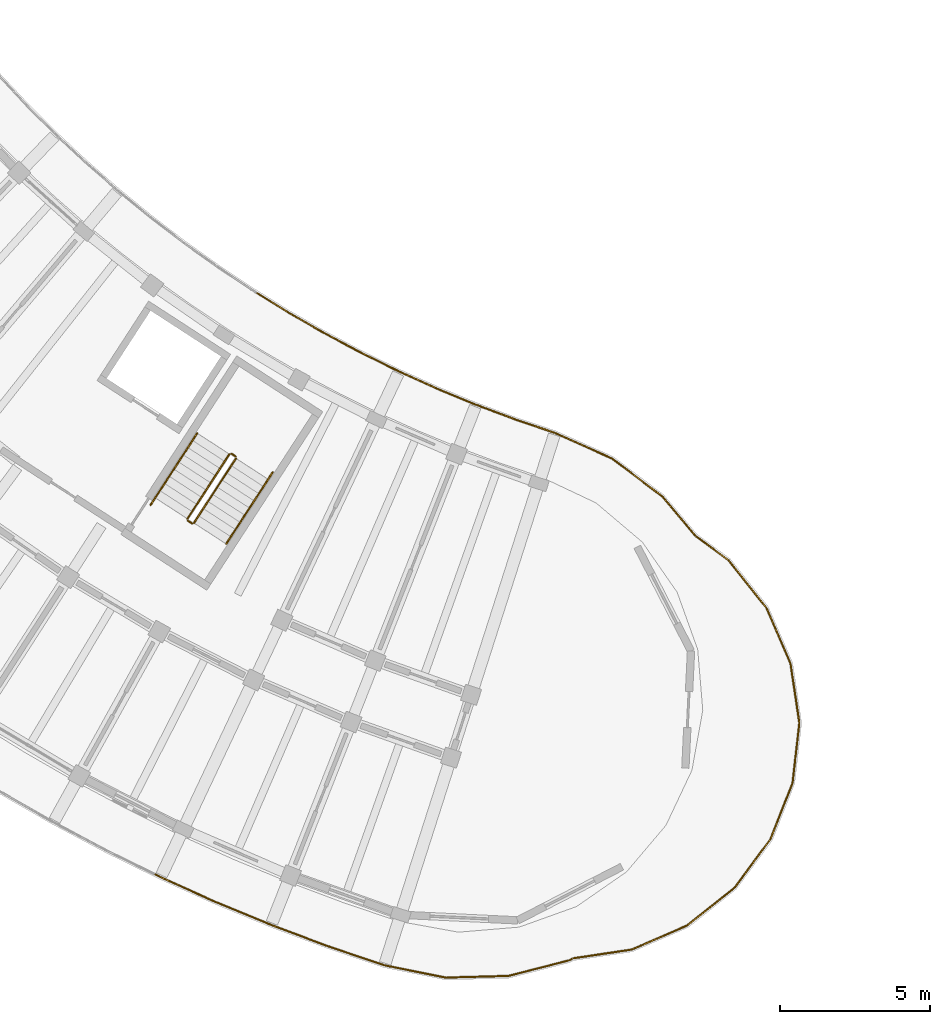
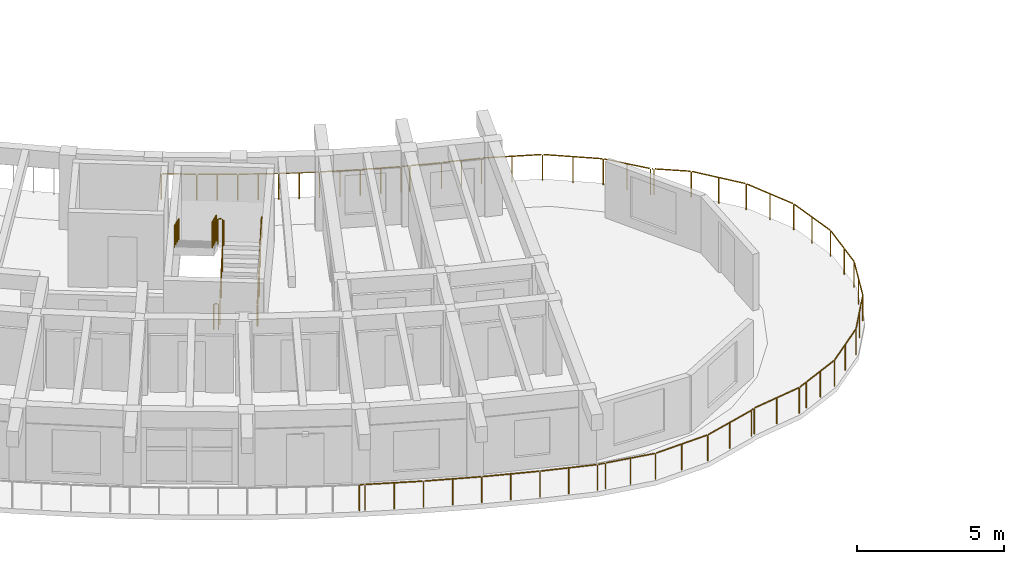
# One storey, part 63 of 78: 16 railings.
"""IFC4 building model written with IfcOpenShell, lengths in metres."""

from ifc_helpers import new_model, si_unit, direction, frame, origin, origin_2d, place, context, subcontext, project, spatial, circle, extrude, material, type_object, element, save


model = new_model("IFC4")

# Units and contexts
model_context = context("Model", 3, precision=1e-05, world=origin(), true_north=direction((0.0, 1.0)))
body_context = subcontext(model_context, "Body", "Model", "MODEL_VIEW")
ifc_project = project(units=[si_unit("LENGTHUNIT", "METRE"), si_unit("AREAUNIT", "SQUARE_METRE"), si_unit("VOLUMEUNIT", "CUBIC_METRE"), si_unit("PLANEANGLEUNIT", "RADIAN"), si_unit("MASSUNIT", "GRAM", prefix="KILO")], contexts=[model_context])

# Site, building, storey
site_placement = place(None, origin())
site = spatial("IfcSite", under=ifc_project, at=site_placement, CompositionType="ELEMENT")
building_placement = place(site_placement, origin())
building = spatial("IfcBuilding", under=site, at=building_placement, Name="Tanwirah Colonnade Gardens", CompositionType="ELEMENT")
storey_placement = place(building_placement, frame((0.0, 0.0, 22.280029296875)))
storey = spatial("IfcBuildingStorey", under=building, at=storey_placement, Name="L06", CompositionType="ELEMENT", Elevation=22.280029296875)

# Railings
ifc_material_1 = material(Name="Precast concrete C40/50", Category="concrete")
railing_type_1 = type_object("IfcRailingType", Name="BAL-EXT110", PredefinedType="BALUSTRADE", material=ifc_material_1)
railing_1_placement = place(storey_placement, frame((42.06494140625, 28.509033203125, 0.0)))
element("IfcRailing", 1, at=railing_1_placement, inside=storey, type_object=railing_type_1, Name="Block C L06 Balcony Ribbon Balustrade 5", PredefinedType="BALUSTRADE", context=body_context, shape_type="SweptSolid", body=[
    extrude(circle(Radius=0.02392578125, at=origin_2d()), frame((0.026611328125, -0.016357421875, 1.076171875), z_axis=(0.849789228516, -0.527122630038, 0.0), x_axis=(0.527122630038, 0.849789228516, 0.0)), (0.0, 0.0, 1.0), 1.15185546875),
    extrude(circle(Radius=0.02392578125, at=origin_2d()), frame((1.061279296875, -0.656982421875, 1.076171875), z_axis=(0.866535241782, -0.499115893104, 0.0), x_axis=(0.499115893104, 0.866535241782, 0.0)), (0.0, 0.0, 1.0), 1.33154296875),
    extrude(circle(Radius=0.02392578125, at=origin_2d()), frame((2.272216796875, -1.35302734375, 1.076171875), z_axis=(0.88242081136, -0.470460956593, 0.0), x_axis=(0.470460956593, 0.88242081136, 0.0)), (0.0, 0.0, 1.0), 1.331298828125),
    extrude(circle(Radius=0.02392578125, at=origin_2d()), frame((3.505126953125, -2.00927734375, 1.076171875), z_axis=(0.897349966121, -0.441319655469, 0.0), x_axis=(0.441319655469, 0.897349966121, 0.0)), (0.0, 0.0, 1.0), 1.33154296875),
    extrude(circle(Radius=0.02392578125, at=origin_2d()), frame((4.7587890625, -2.624755859375, 1.076171875), z_axis=(0.911383314029, -0.411558568018, 0.0), x_axis=(0.411558568018, 0.911383314029, 0.0)), (0.0, 0.0, 1.0), 1.33154296875),
    extrude(circle(Radius=0.02392578125, at=origin_2d()), frame((6.031982421875, -3.19873046875, 1.076171875), z_axis=(0.924300384608, -0.381665821122, 0.0), x_axis=(0.381665821122, 0.924300384608, 0.0)), (0.0, 0.0, 1.0), 1.331298828125),
    extrude(circle(Radius=0.02392578125, at=origin_2d()), frame((7.3232421875, -3.730712890625, 1.076171875), z_axis=(0.936396085832, -0.350944967821, 0.0), x_axis=(0.350944967821, 0.936396085832, 0.0)), (0.0, 0.0, 1.0), 0.2373046875),
    extrude(circle(Radius=0.02099609375, at=origin_2d()), origin(), (0.0, 0.0, 1.0), 1.049072265625),
    extrude(circle(Radius=0.02099609375, at=origin_2d()), frame((1.031982421875, -0.64013671875, 0.0)), (0.0, 0.0, 1.0), 1.049072265625),
    extrude(circle(Radius=0.02099609375, at=origin_2d()), frame((1.63818359375, -0.9892578125, 0.0)), (0.0, 0.0, 1.0), 1.049072265625),
    extrude(circle(Radius=0.02099609375, at=origin_2d()), frame((2.2421875, -1.337158203125, 0.0)), (0.0, 0.0, 1.0), 1.049072265625),
    extrude(circle(Radius=0.02099609375, at=origin_2d()), frame((2.859619140625, -1.666259765625, 0.0)), (0.0, 0.0, 1.0), 1.049072265625),
    extrude(circle(Radius=0.02099609375, at=origin_2d()), frame((3.474609375, -1.994140625, 0.0)), (0.0, 0.0, 1.0), 1.049072265625),
    extrude(circle(Radius=0.02099609375, at=origin_2d()), frame((4.1025390625, -2.302978515625, 0.0)), (0.0, 0.0, 1.0), 1.049072265625),
    extrude(circle(Radius=0.02099609375, at=origin_2d()), frame((4.72802734375, -2.610595703125, 0.0)), (0.0, 0.0, 1.0), 1.049072265625),
    extrude(circle(Radius=0.02099609375, at=origin_2d()), frame((5.365478515625, -2.898681640625, 0.0)), (0.0, 0.0, 1.0), 1.049072265625),
    extrude(circle(Radius=0.02099609375, at=origin_2d()), frame((6.000732421875, -3.185546875, 0.0)), (0.0, 0.0, 1.0), 1.049072265625),
    extrude(circle(Radius=0.02099609375, at=origin_2d()), frame((6.6474609375, -3.45263671875, 0.0)), (0.0, 0.0, 1.0), 1.049072265625),
    extrude(circle(Radius=0.02099609375, at=origin_2d()), frame((7.29150390625, -3.71875, 0.0)), (0.0, 0.0, 1.0), 1.049072265625),
    extrude(circle(Radius=0.02099609375, at=origin_2d()), frame((7.57470703125, -3.824951171875, 0.0)), (0.0, 0.0, 1.0), 1.049072265625),
])
railing_2_placement = place(storey_placement, frame((49.6396484375, 24.68408203125, 0.0)))
element("IfcRailing", 2, at=railing_2_placement, inside=storey, type_object=railing_type_1, Name="Block C L06 Balcony Ribbon Balustrade 6", PredefinedType="BALUSTRADE", context=body_context, shape_type="SweptSolid", body=[
    extrude(circle(Radius=0.02392578125, at=origin_2d()), frame((0.029296875, -0.010986328125, 1.076171875), z_axis=(0.936292492027, -0.351221254159, 0.0), x_axis=(0.351221254159, 0.936292492027, 0.0)), (0.0, 0.0, 1.0), 1.031494140625),
    extrude(circle(Radius=0.02392578125, at=origin_2d()), frame((1.056396484375, -0.395263671875, 1.076171875), z_axis=(0.947251242872, -0.320491938866, 0.0), x_axis=(0.320491938866, 0.947251242872, 0.0)), (0.0, 0.0, 1.0), 1.32763671875),
    extrude(circle(Radius=0.02392578125, at=origin_2d()), frame((2.372314453125, -0.843505859375, 1.076171875), z_axis=(0.912318470045, -0.409481390559, 0.0), x_axis=(0.409481390559, 0.912318470045, 0.0)), (0.0, 0.0, 1.0), 2.029541015625),
    extrude(circle(Radius=0.02392578125, at=origin_2d()), frame((4.27734375, -1.706298828125, 1.076171875), z_axis=(0.798213561009, -0.602374560404, 0.0), x_axis=(0.602374560404, 0.798213561009, 0.0)), (0.0, 0.0, 1.0), 2.0244140625),
    extrude(circle(Radius=0.02392578125, at=origin_2d()), frame((5.938232421875, -2.968505859375, 1.076171875), z_axis=(0.644227931343, -0.764833558676, 0.0), x_axis=(0.764833558676, 0.644227931343, 0.0)), (0.0, 0.0, 1.0), 1.64990234375),
    extrude(circle(Radius=0.02392578125, at=origin_2d()), frame((7.060302734375, -4.28564453125, 1.076171875), z_axis=(0.803978362095, -0.594658551845, 0.0), x_axis=(0.594658551845, 0.803978362095, 0.0)), (0.0, 0.0, 1.0), 0.0400390625),
    extrude(circle(Radius=0.02099609375, at=origin_2d()), origin(), (0.0, 0.0, 1.0), 1.049072265625),
    extrude(circle(Radius=0.02099609375, at=origin_2d()), frame((1.0244140625, -0.38427734375, 0.0)), (0.0, 0.0, 1.0), 1.049072265625),
    extrude(circle(Radius=0.02099609375, at=origin_2d()), frame((1.685302734375, -0.60791015625, 0.0)), (0.0, 0.0, 1.0), 1.049072265625),
    extrude(circle(Radius=0.02099609375, at=origin_2d()), frame((2.34375, -0.830810546875, 0.0)), (0.0, 0.0, 1.0), 1.049072265625),
    extrude(circle(Radius=0.02099609375, at=origin_2d()), frame((3.298095703125, -1.25927734375, 0.0)), (0.0, 0.0, 1.0), 1.049072265625),
    extrude(circle(Radius=0.02099609375, at=origin_2d()), frame((4.25244140625, -1.6875, 0.0)), (0.0, 0.0, 1.0), 1.049072265625),
    extrude(circle(Radius=0.02099609375, at=origin_2d()), frame((5.08544921875, -2.31591796875, 0.0)), (0.0, 0.0, 1.0), 1.049072265625),
    extrude(circle(Radius=0.02099609375, at=origin_2d()), frame((5.918212890625, -2.944580078125, 0.0)), (0.0, 0.0, 1.0), 1.049072265625),
    extrude(circle(Radius=0.02099609375, at=origin_2d()), frame((6.4697265625, -3.599609375, 0.0)), (0.0, 0.0, 1.0), 1.049072265625),
    extrude(circle(Radius=0.02099609375, at=origin_2d()), frame((7.021484375, -4.25439453125, 0.0)), (0.0, 0.0, 1.0), 1.049072265625),
    extrude(circle(Radius=0.02099609375, at=origin_2d()), frame((7.11767578125, -4.328125, 0.0)), (0.0, 0.0, 1.0), 1.049072265625),
])
railing_3_placement = place(storey_placement, frame((56.75732421875, 20.35595703125, 0.0)))
element("IfcRailing", 3, at=railing_3_placement, inside=storey, type_object=railing_type_1, Name="Block C L06 Balcony Ribbon Balustrade 7", PredefinedType="BALUSTRADE", context=body_context, shape_type="SweptSolid", body=[
    extrude(circle(Radius=0.02392578125, at=origin_2d()), frame((0.025146484375, -0.0185546875, 1.076171875), z_axis=(0.803797951076, -0.594902390184, 0.0), x_axis=(0.594902390184, 0.803797951076, 0.0)), (0.0, 0.0, 1.0), 1.212646484375),
    extrude(circle(Radius=0.02392578125, at=origin_2d()), frame((1.04443359375, -0.782958984375, 1.076171875), z_axis=(0.622550545589, -0.782579592237, 0.0), x_axis=(0.782579592237, 0.622550545589, 0.0)), (0.0, 0.0, 1.0), 1.952880859375),
    extrude(circle(Radius=0.02392578125, at=origin_2d()), frame((2.2919921875, -2.3642578125, 1.076171875), z_axis=(0.398739402436, -0.917064277434, 0.0), x_axis=(0.917064277434, 0.398739402436, 0.0)), (0.0, 0.0, 1.0), 1.952392578125),
    extrude(circle(Radius=0.02392578125, at=origin_2d()), frame((3.087646484375, -4.214599609375, 1.076171875), z_axis=(0.147813141388, -0.989015305864, 0.0), x_axis=(0.989015305864, 0.147813141388, 0.0)), (0.0, 0.0, 1.0), 1.95263671875),
    extrude(circle(Radius=0.02392578125, at=origin_2d()), frame((3.37744140625, -6.20751953125, 1.076171875), z_axis=(-0.113202221803, -0.993571968696, 0.0), x_axis=(0.993571968696, -0.113202221803, 0.0)), (0.0, 0.0, 1.0), 1.1171875),
    extrude(circle(Radius=0.02099609375, at=origin_2d()), origin(), (0.0, 0.0, 1.0), 1.049072265625),
    extrude(circle(Radius=0.02099609375, at=origin_2d()), frame((1.02490234375, -0.758544921875, 0.0)), (0.0, 0.0, 1.0), 1.049072265625),
    extrude(circle(Radius=0.02099609375, at=origin_2d()), frame((1.65234375, -1.547119140625, 0.0)), (0.0, 0.0, 1.0), 1.049072265625),
    extrude(circle(Radius=0.02099609375, at=origin_2d()), frame((2.279541015625, -2.335693359375, 0.0)), (0.0, 0.0, 1.0), 1.049072265625),
    extrude(circle(Radius=0.02099609375, at=origin_2d()), frame((2.68115234375, -3.259765625, 0.0)), (0.0, 0.0, 1.0), 1.049072265625),
    extrude(circle(Radius=0.02099609375, at=origin_2d()), frame((3.0830078125, -4.18359375, 0.0)), (0.0, 0.0, 1.0), 1.049072265625),
    extrude(circle(Radius=0.02099609375, at=origin_2d()), frame((3.23193359375, -5.18017578125, 0.0)), (0.0, 0.0, 1.0), 1.049072265625),
    extrude(circle(Radius=0.02099609375, at=origin_2d()), frame((3.380859375, -6.176513671875, 0.0)), (0.0, 0.0, 1.0), 1.049072265625),
    extrude(circle(Radius=0.02099609375, at=origin_2d()), frame((3.247314453125, -7.3486328125, 0.0)), (0.0, 0.0, 1.0), 1.049072265625),
])
railing_4_placement = place(storey_placement, frame((60.004638671875, 13.00732421875, 0.0)))
element("IfcRailing", 4, at=railing_4_placement, inside=storey, type_object=railing_type_1, Name="Block C L06 Balcony Ribbon Balustrade 8", PredefinedType="BALUSTRADE", context=body_context, shape_type="SweptSolid", body=[
    extrude(circle(Radius=0.02392578125, at=origin_2d()), frame((-0.00341796875, -0.031005859375, 1.076171875), z_axis=(-0.113093280314, -0.993584374851, 0.0), x_axis=(0.993584374851, -0.113093280314, 0.0)), (0.0, 0.0, 1.0), 0.77294921875),
    extrude(circle(Radius=0.02392578125, at=origin_2d()), frame((-0.10595703125, -0.859130859375, 1.076171875), z_axis=(-0.366476847839, -0.930427170711, 0.0), x_axis=(0.930427170711, -0.366476847839, 0.0)), (0.0, 0.0, 1.0), 1.95263671875),
    extrude(circle(Radius=0.02392578125, at=origin_2d()), frame((-0.8515625, -2.730224609375, 1.076171875), z_axis=(-0.594850833689, -0.803836106218, 0.0), x_axis=(0.803836106218, -0.594850833689, 0.0)), (0.0, 0.0, 1.0), 1.95263671875),
    extrude(circle(Radius=0.02392578125, at=origin_2d()), frame((-2.05615234375, -4.344482421875, 1.076171875), z_axis=(-0.782638613162, -0.622476345886, 0.0), x_axis=(0.622476345886, -0.782638613162, 0.0)), (0.0, 0.0, 1.0), 1.95263671875),
    extrude(circle(Radius=0.02392578125, at=origin_2d()), frame((-3.637451171875, -5.591796875, 1.076171875), z_axis=(-0.917010109792, -0.398863959941, 0.0), x_axis=(0.398863959941, -0.917010109792, 0.0)), (0.0, 0.0, 1.0), 1.556396484375),
    extrude(circle(Radius=0.02099609375, at=origin_2d()), origin(), (0.0, 0.0, 1.0), 1.049072265625),
    extrude(circle(Radius=0.02099609375, at=origin_2d()), frame((-0.094482421875, -0.830078125, 0.0)), (0.0, 0.0, 1.0), 1.049072265625),
    extrude(circle(Radius=0.02099609375, at=origin_2d()), frame((-0.4638671875, -1.767578125, 0.0)), (0.0, 0.0, 1.0), 1.049072265625),
    extrude(circle(Radius=0.02099609375, at=origin_2d()), frame((-0.8330078125, -2.705078125, 0.0)), (0.0, 0.0, 1.0), 1.049072265625),
    extrude(circle(Radius=0.02099609375, at=origin_2d()), frame((-1.432373046875, -3.51513671875, 0.0)), (0.0, 0.0, 1.0), 1.049072265625),
    extrude(circle(Radius=0.02099609375, at=origin_2d()), frame((-2.03173828125, -4.324951171875, 0.0)), (0.0, 0.0, 1.0), 1.049072265625),
    extrude(circle(Radius=0.02099609375, at=origin_2d()), frame((-2.8203125, -4.9521484375, 0.0)), (0.0, 0.0, 1.0), 1.049072265625),
    extrude(circle(Radius=0.02099609375, at=origin_2d()), frame((-3.60888671875, -5.579345703125, 0.0)), (0.0, 0.0, 1.0), 1.049072265625),
    extrude(circle(Radius=0.02099609375, at=origin_2d()), frame((-4.35107421875, -5.90234375, 0.0)), (0.0, 0.0, 1.0), 1.049072265625),
    extrude(circle(Radius=0.02099609375, at=origin_2d()), frame((-5.093505859375, -6.22509765625, 0.0)), (0.0, 0.0, 1.0), 1.049072265625),
])
railing_5_placement = place(storey_placement, frame((54.9111328125, 6.7822265625, 0.0)))
element("IfcRailing", 5, at=railing_5_placement, inside=storey, type_object=railing_type_1, Name="Block C L06 Balcony Ribbon Balustrade 9", PredefinedType="BALUSTRADE", context=body_context, shape_type="SweptSolid", body=[
    extrude(circle(Radius=0.02392578125, at=origin_2d()), frame((-0.028564453125, -0.012451171875, 1.076171875), z_axis=(-0.917060257822, -0.39874864705, 0.0), x_axis=(0.39874864705, -0.917060257822, 0.0)), (0.0, 0.0, 1.0), 0.33349609375),
    extrude(circle(Radius=0.02392578125, at=origin_2d()), frame((-0.394287109375, -0.16259765625, 1.076171875), z_axis=(-0.989022709724, -0.147763593794, 0.0), x_axis=(0.147763593794, -0.989022709724, 0.0)), (0.0, 0.0, 1.0), 1.903564453125),
    extrude(circle(Radius=0.02392578125, at=origin_2d()), frame((-2.3603515625, -0.470703125, 1.076171875), z_axis=(-0.889627198135, -0.456687473375, 0.0), x_axis=(0.456687473375, -0.889627198135, 0.0)), (0.0, 0.0, 1.0), 0.071044921875),
    extrude(circle(Radius=0.02392578125, at=origin_2d()), frame((-2.481689453125, -0.525390625, 1.076171875), z_axis=(-0.968609718191, -0.248586431299, 0.0), x_axis=(0.248586431299, -0.968609718191, 0.0)), (0.0, 0.0, 1.0), 2.0244140625),
    extrude(circle(Radius=0.02392578125, at=origin_2d()), frame((-4.504150390625, -1.037109375, 1.076171875), z_axis=(-0.999641092133, -0.026789679356, 0.0), x_axis=(0.026789679356, -0.999641092133, 0.0)), (0.0, 0.0, 1.0), 2.0244140625),
    extrude(circle(Radius=0.02392578125, at=origin_2d()), frame((-6.58984375, -1.086181640625, 1.076171875), z_axis=(-0.980533805939, 0.196350338451, 0.0), x_axis=(-0.196350338451, -0.980533805939, 0.0)), (0.0, 0.0, 1.0), 1.74169921875),
    extrude(circle(Radius=0.02099609375, at=origin_2d()), origin(), (0.0, 0.0, 1.0), 1.049072265625),
    extrude(circle(Radius=0.02099609375, at=origin_2d()), frame((-0.36328125, -0.157958984375, 0.0)), (0.0, 0.0, 1.0), 1.049072265625),
    extrude(circle(Radius=0.02099609375, at=origin_2d()), frame((-1.33544921875, -0.30322265625, 0.0)), (0.0, 0.0, 1.0), 1.049072265625),
    extrude(circle(Radius=0.02099609375, at=origin_2d()), frame((-2.307861328125, -0.448486328125, 0.0)), (0.0, 0.0, 1.0), 1.049072265625),
    extrude(circle(Radius=0.02099609375, at=origin_2d()), frame((-2.451416015625, -0.517578125, 0.0)), (0.0, 0.0, 1.0), 1.049072265625),
    extrude(circle(Radius=0.02099609375, at=origin_2d()), frame((-3.462158203125, -0.77685546875, 0.0)), (0.0, 0.0, 1.0), 1.049072265625),
    extrude(circle(Radius=0.02099609375, at=origin_2d()), frame((-4.472900390625, -1.036376953125, 0.0)), (0.0, 0.0, 1.0), 1.049072265625),
    extrude(circle(Radius=0.02099609375, at=origin_2d()), frame((-5.51611328125, -1.064453125, 0.0)), (0.0, 0.0, 1.0), 1.049072265625),
    extrude(circle(Radius=0.02099609375, at=origin_2d()), frame((-6.55908203125, -1.09228515625, 0.0)), (0.0, 0.0, 1.0), 1.049072265625),
    extrude(circle(Radius=0.02099609375, at=origin_2d()), frame((-7.443603515625, -0.9150390625, 0.0)), (0.0, 0.0, 1.0), 1.049072265625),
    extrude(circle(Radius=0.02099609375, at=origin_2d()), frame((-8.328125, -0.738037109375, 0.0)), (0.0, 0.0, 1.0), 1.049072265625),
])
railing_6_placement = place(storey_placement, frame((46.5830078125, 6.044189453125, 0.0)))
element("IfcRailing", 6, at=railing_6_placement, inside=storey, type_object=railing_type_1, Name="Block C L06 Balcony Ribbon Balustrade 10", PredefinedType="BALUSTRADE", context=body_context, shape_type="SweptSolid", body=[
    extrude(circle(Radius=0.02392578125, at=origin_2d()), frame((-0.03076171875, 0.006103515625, 1.076171875), z_axis=(-0.980613429945, 0.195952292691, 0.0), x_axis=(-0.195952292691, -0.980613429945, 0.0)), (0.0, 0.0, 1.0), 0.22412109375),
    extrude(circle(Radius=0.02392578125, at=origin_2d()), frame((-0.310546875, 0.066162109375, 1.076171875), z_axis=(-0.947284297423, 0.320394225692, 0.0), x_axis=(-0.320394225692, -0.947284297423, 0.0)), (0.0, 0.0, 1.0), 1.93994140625),
    extrude(circle(Radius=0.02392578125, at=origin_2d()), frame((-2.207275390625, 0.708740234375, 1.076171875), z_axis=(-0.93628917395, 0.351230099427, 0.0), x_axis=(-0.351230099427, -0.93628917395, 0.0)), (0.0, 0.0, 1.0), 1.9443359375),
    extrude(circle(Radius=0.02392578125, at=origin_2d()), frame((-4.085693359375, 1.41455078125, 1.076171875), z_axis=(-0.924299685122, 0.381667515102, 0.0), x_axis=(-0.381667515102, -0.924299685122, 0.0)), (0.0, 0.0, 1.0), 1.944091796875),
    extrude(circle(Radius=0.02392578125, at=origin_2d()), frame((-5.940185546875, 2.181396484375, 1.076171875), z_axis=(-0.911305810052, 0.411730155035, 0.0), x_axis=(-0.411730155035, -0.911305810052, 0.0)), (0.0, 0.0, 1.0), 1.944091796875),
    extrude(circle(Radius=0.02392578125, at=origin_2d()), frame((-7.768310546875, 3.008544921875, 1.076171875), z_axis=(-0.897225289588, 0.441573074048, 0.0), x_axis=(-0.441573074048, -0.897225289588, 0.0)), (0.0, 0.0, 1.0), 0.128173828125),
    extrude(circle(Radius=0.02099609375, at=origin_2d()), origin(), (0.0, 0.0, 1.0), 1.049072265625),
    extrude(circle(Radius=0.02099609375, at=origin_2d()), frame((-0.281005859375, 0.05615234375, 0.0)), (0.0, 0.0, 1.0), 1.049072265625),
    extrude(circle(Radius=0.02099609375, at=origin_2d()), frame((-1.2294921875, 0.376953125, 0.0)), (0.0, 0.0, 1.0), 1.049072265625),
    extrude(circle(Radius=0.02099609375, at=origin_2d()), frame((-2.177978515625, 0.69775390625, 0.0)), (0.0, 0.0, 1.0), 1.049072265625),
    extrude(circle(Radius=0.02099609375, at=origin_2d()), frame((-3.117431640625, 1.05029296875, 0.0)), (0.0, 0.0, 1.0), 1.049072265625),
    extrude(circle(Radius=0.02099609375, at=origin_2d()), frame((-4.056884765625, 1.402587890625, 0.0)), (0.0, 0.0, 1.0), 1.049072265625),
    extrude(circle(Radius=0.02099609375, at=origin_2d()), frame((-4.984375, 1.78564453125, 0.0)), (0.0, 0.0, 1.0), 1.049072265625),
    extrude(circle(Radius=0.02099609375, at=origin_2d()), frame((-5.91162109375, 2.16845703125, 0.0)), (0.0, 0.0, 1.0), 1.049072265625),
    extrude(circle(Radius=0.02099609375, at=origin_2d()), frame((-6.825927734375, 2.58154296875, 0.0)), (0.0, 0.0, 1.0), 1.049072265625),
    extrude(circle(Radius=0.02099609375, at=origin_2d()), frame((-7.740234375, 2.99462890625, 0.0)), (0.0, 0.0, 1.0), 1.049072265625),
    extrude(circle(Radius=0.02099609375, at=origin_2d()), frame((-7.911376953125, 3.078857421875, 0.0)), (0.0, 0.0, 1.0), 1.049072265625),
])
ifc_material_2 = material(Name="Powder-coated galvanized steel", Category="steel")
railing_type_2 = type_object("IfcRailingType", Name="GRD-ST110", PredefinedType="GUARDRAIL", material=ifc_material_2)
railing_7_placement = place(storey_placement, frame((39.955078125, 20.84814453125, 0.16796875)))
element("IfcRailing", 7, at=railing_7_placement, inside=storey, type_object=railing_type_2, Name="L06 ST-C2 stair guard 1", PredefinedType="GUARDRAIL", context=body_context, shape_type="SweptSolid", body=[
    extrude(circle(Radius=0.02392578125, at=origin_2d()), frame((0.0146484375, 0.022705078125, 1.092041015625), z_axis=(0.469192556557, 0.722484378858, 0.507813614603), x_axis=(-0.838667537708, 0.544643701143, 0.0)), (0.0, 0.0, 1.0), 2.914794921875),
    extrude(circle(Radius=0.02099609375, at=origin_2d()), origin(), (0.0, 0.0, 1.0), 1.049072265625),
    extrude(circle(Radius=0.02099609375, at=origin_2d()), frame((0.465576171875, 0.717041015625, 0.50390625)), (0.0, 0.0, 1.0), 1.049072265625),
    extrude(circle(Radius=0.02099609375, at=origin_2d()), frame((0.931396484375, 1.43408203125, 1.008056640625)), (0.0, 0.0, 1.0), 1.049072265625),
    extrude(circle(Radius=0.02099609375, at=origin_2d()), frame((1.39697265625, 2.151123046875, 1.511962890625)), (0.0, 0.0, 1.0), 1.049072265625),
])
railing_8_placement = place(storey_placement, frame((41.33740234375, 23.068603515625, 1.679931640625)))
element("IfcRailing", 8, at=railing_8_placement, inside=storey, type_object=railing_type_2, Name="L06 ST-C2 stair guard 2", PredefinedType="GUARDRAIL", context=body_context, shape_type="SweptSolid", body=[
    extrude(circle(Radius=0.02392578125, at=origin_2d()), frame((-0.026123046875, 0.01708984375, 1.076171875), z_axis=(-0.838791880614, 0.544452184326, 0.0), x_axis=(-0.544452184326, -0.838791880614, 0.0)), (0.0, 0.0, 1.0), 0.09765625),
    extrude(circle(Radius=0.02099609375, at=origin_2d()), origin(), (0.0, 0.0, 1.0), 1.049072265625),
    extrude(circle(Radius=0.02099609375, at=origin_2d()), frame((-0.13427734375, 0.087158203125, 0.0)), (0.0, 0.0, 1.0), 1.049072265625),
])
railing_9_placement = place(storey_placement, frame((41.134033203125, 23.140869140625, 1.847900390625)))
element("IfcRailing", 9, at=railing_9_placement, inside=storey, type_object=railing_type_2, Name="L06 ST-C2 stair guard 3", PredefinedType="GUARDRAIL", context=body_context, shape_type="SweptSolid", body=[
    extrude(circle(Radius=0.02392578125, at=origin_2d()), frame((-0.0146484375, -0.022705078125, 1.092041015625), z_axis=(-0.469192556557, -0.722484378858, 0.507813614603), x_axis=(0.838667537708, -0.544643701143, 0.0)), (0.0, 0.0, 1.0), 2.914794921875),
    extrude(circle(Radius=0.02099609375, at=origin_2d()), origin(), (0.0, 0.0, 1.0), 1.049072265625),
    extrude(circle(Radius=0.02099609375, at=origin_2d()), frame((-0.465576171875, -0.717041015625, 0.50390625)), (0.0, 0.0, 1.0), 1.049072265625),
    extrude(circle(Radius=0.02099609375, at=origin_2d()), frame((-0.931396484375, -1.43408203125, 1.008056640625)), (0.0, 0.0, 1.0), 1.049072265625),
    extrude(circle(Radius=0.02099609375, at=origin_2d()), frame((-1.39697265625, -2.151123046875, 1.511962890625)), (0.0, 0.0, 1.0), 1.049072265625),
])
railing_10_placement = place(storey_placement, frame((39.8857421875, 20.83349609375, 0.0)))
element("IfcRailing", 10, at=railing_10_placement, inside=storey, type_object=railing_type_2, Name="L06 ST-C2 stair guard 4", PredefinedType="GUARDRAIL", context=body_context, shape_type="SweptSolid", body=[
    extrude(circle(Radius=0.02392578125, at=origin_2d()), frame((-0.026123046875, 0.01708984375, 1.076171875), z_axis=(-0.838338936283, 0.545149362938, 0.0), x_axis=(-0.545149362938, -0.838338936283, 0.0)), (0.0, 0.0, 1.0), 0.097412109375),
    extrude(circle(Radius=0.02099609375, at=origin_2d()), origin(), (0.0, 0.0, 1.0), 1.049072265625),
    extrude(circle(Radius=0.02099609375, at=origin_2d()), frame((-0.134033203125, 0.087158203125, 0.0)), (0.0, 0.0, 1.0), 1.049072265625),
])
ifc_material_3 = material(Name="Brushed bronze stainless steel", Category="steel")
railing_type_3 = type_object("IfcRailingType", Name="HR-ST090", PredefinedType="HANDRAIL", material=ifc_material_3)
railing_11_placement = place(storey_placement, frame((41.028564453125, 20.151123046875, 0.16796875)))
element("IfcRailing", 11, at=railing_11_placement, inside=storey, type_object=railing_type_3, Name="L06 ST-C2 stair handrail 1", PredefinedType="HANDRAIL", context=body_context, shape_type="SweptSolid", body=[
    extrude(circle(Radius=0.02392578125, at=origin_2d()), frame((0.0146484375, 0.0224609375, 0.891845703125), z_axis=(0.467889522294, 0.720492454576, 0.511830067333), x_axis=(-0.838672561027, 0.544635965926, 0.0)), (0.0, 0.0, 1.0), 1.043212890625),
    extrude(circle(Radius=0.02099609375, at=origin_2d()), origin(), (0.0, 0.0, 1.0), 0.848876953125),
    extrude(circle(Radius=0.02099609375, at=origin_2d()), frame((0.517333984375, 0.796630859375, 0.56591796875)), (0.0, 0.0, 1.0), 0.848876953125),
])
railing_12_placement = place(storey_placement, frame((41.5458984375, 20.94775390625, 0.73388671875)))
element("IfcRailing", 12, at=railing_12_placement, inside=storey, type_object=railing_type_3, Name="L06 ST-C2 stair handrail 2", PredefinedType="HANDRAIL", context=body_context, shape_type="SweptSolid", body=[
    extrude(circle(Radius=0.02392578125, at=origin_2d()), frame((0.0146484375, 0.0224609375, 0.891845703125), z_axis=(0.467836641068, 0.720411023977, 0.511993001717), x_axis=(-0.838672561027, 0.544635965926, 0.0)), (0.0, 0.0, 1.0), 1.043212890625),
    extrude(circle(Radius=0.02099609375, at=origin_2d()), origin(), (0.0, 0.0, 1.0), 0.848876953125),
    extrude(circle(Radius=0.02099609375, at=origin_2d()), frame((0.517333984375, 0.796630859375, 0.566162109375)), (0.0, 0.0, 1.0), 0.848876953125),
])
railing_13_placement = place(storey_placement, frame((42.063232421875, 21.744384765625, 1.300048828125)))
element("IfcRailing", 13, at=railing_13_placement, inside=storey, type_object=railing_type_3, Name="L06 ST-C2 stair handrail 3", PredefinedType="HANDRAIL", context=body_context, shape_type="SweptSolid", body=[
    extrude(circle(Radius=0.02392578125, at=origin_2d()), frame((0.0146484375, 0.0224609375, 0.891845703125), z_axis=(0.467987521127, 0.720524183471, 0.511695789609), x_axis=(-0.838631412534, 0.544699324317, 0.0)), (0.0, 0.0, 1.0), 1.04345703125),
    extrude(circle(Radius=0.02099609375, at=origin_2d()), origin(), (0.0, 0.0, 1.0), 0.848876953125),
    extrude(circle(Radius=0.02099609375, at=origin_2d()), frame((0.517578125, 0.796875, 0.56591796875)), (0.0, 0.0, 1.0), 0.848876953125),
])
railing_14_placement = place(storey_placement, frame((40.060546875, 23.838134765625, 1.847900390625)))
element("IfcRailing", 14, at=railing_14_placement, inside=storey, type_object=railing_type_3, Name="L06 ST-C2 stair handrail 4", PredefinedType="HANDRAIL", context=body_context, shape_type="SweptSolid", body=[
    extrude(circle(Radius=0.02392578125, at=origin_2d()), frame((-0.0146484375, -0.0224609375, 0.891845703125), z_axis=(-0.467934656569, -0.720442792, 0.511858711596), x_axis=(0.838631412534, -0.544699324317, 0.0)), (0.0, 0.0, 1.0), 1.04345703125),
    extrude(circle(Radius=0.02099609375, at=origin_2d()), origin(), (0.0, 0.0, 1.0), 0.848876953125),
    extrude(circle(Radius=0.02099609375, at=origin_2d()), frame((-0.517578125, -0.796875, 0.566162109375)), (0.0, 0.0, 1.0), 0.848876953125),
])
for number, where, name in (
    (15, (39.54296875, 23.041259765625, 2.4140625), "L06 ST-C2 stair handrail 5"),
    (16, (39.025634765625, 22.24462890625, 2.97998046875), "L06 ST-C2 stair handrail 6"),
):
    element("IfcRailing", number, at=place(storey_placement, frame(where)), inside=storey, type_object=railing_type_3, Name=name, PredefinedType="HANDRAIL", context=body_context, shape_type="SweptSolid", body=[
        extrude(circle(Radius=0.02392578125, at=origin_2d()), frame((-0.0146484375, -0.0224609375, 0.891845703125), z_axis=(-0.467889522294, -0.720492454576, 0.511830067333), x_axis=(0.838672561027, -0.544635965926, 0.0)), (0.0, 0.0, 1.0), 1.043212890625),
        extrude(circle(Radius=0.02099609375, at=origin_2d()), origin(), (0.0, 0.0, 1.0), 0.848876953125),
        extrude(circle(Radius=0.02099609375, at=origin_2d()), frame((-0.517333984375, -0.796630859375, 0.56591796875)), (0.0, 0.0, 1.0), 0.848876953125),
    ])

save(model, "model.ifc")
